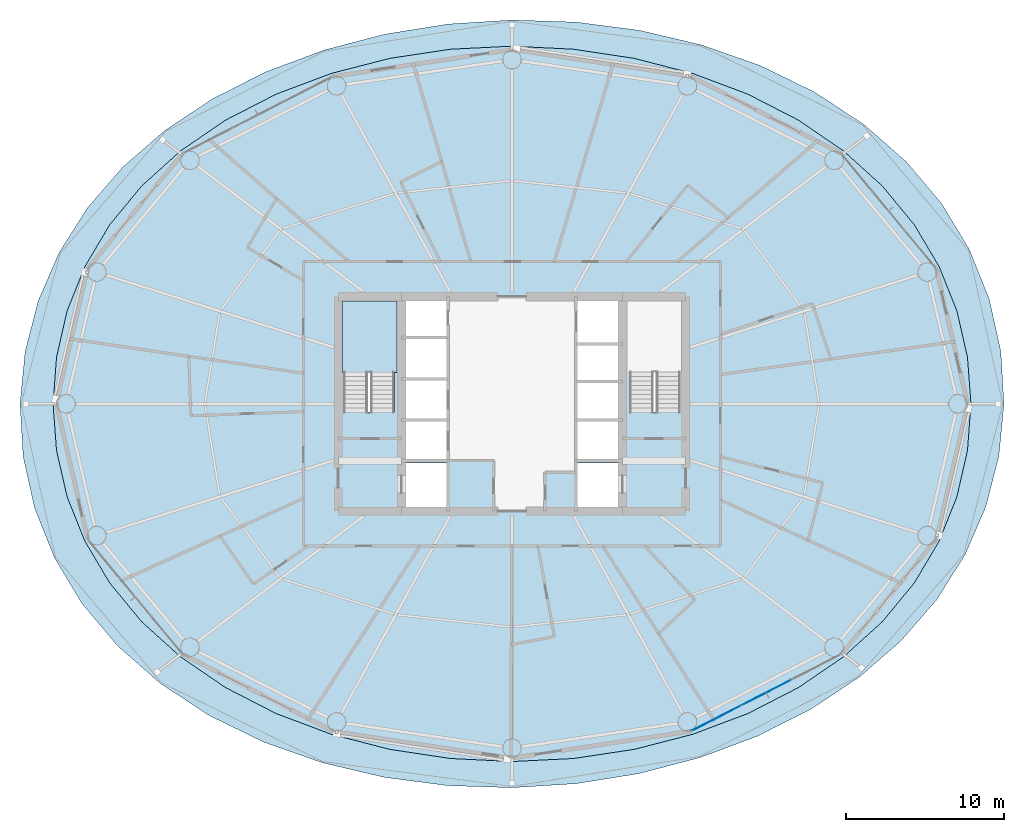
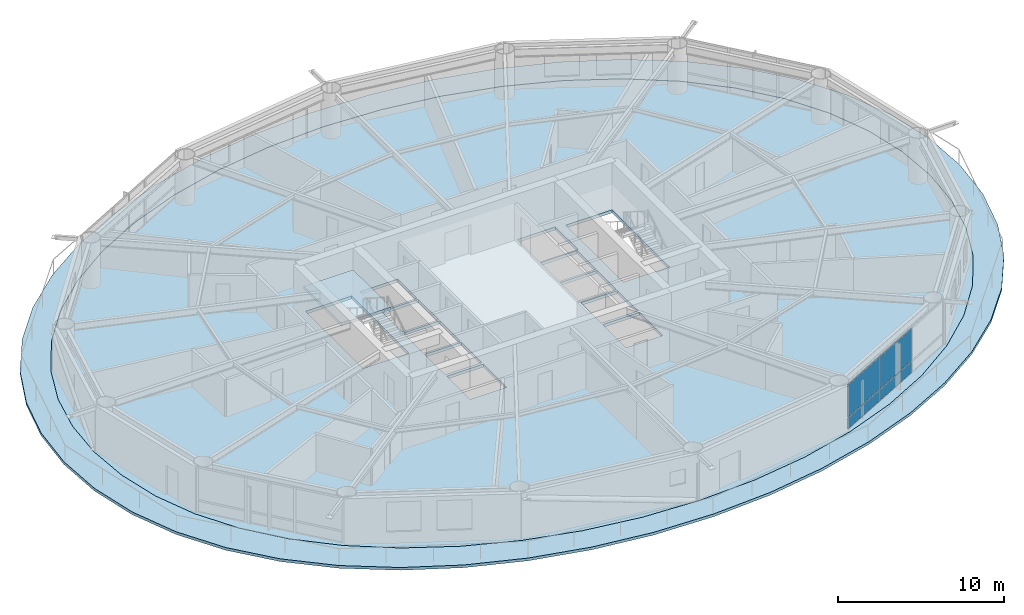
# One storey, part 15 of 24: 4 plates, 3 slabs, 2 elements without a shape of their own.
"""IFC4 building model written with IfcOpenShell, lengths in metres."""

from ifc_helpers import new_model, si_unit, direction, frame, origin, origin_2d, place, context, subcontext, project, spatial, polyline, rectangle, outline, extrude, material, layer, layer_set, type_object, element, aggregate, save


model = new_model("IFC4")

# Units and contexts
model_context = context("Model", 3, precision=1e-05, world=origin(), true_north=direction((0.0, 1.0)))
body_context = subcontext(model_context, "Body", "Model", "MODEL_VIEW")
ifc_project = project(units=[si_unit("LENGTHUNIT", "METRE"), si_unit("AREAUNIT", "SQUARE_METRE"), si_unit("VOLUMEUNIT", "CUBIC_METRE"), si_unit("PLANEANGLEUNIT", "RADIAN"), si_unit("MASSUNIT", "GRAM", prefix="KILO")], contexts=[model_context])

# Site, building, storey
site_placement = place(None, origin())
site = spatial("IfcSite", under=ifc_project, at=site_placement, CompositionType="ELEMENT")
building_placement = place(site_placement, origin())
building = spatial("IfcBuilding", under=site, at=building_placement, Name="Sarneth Arch Tower", CompositionType="ELEMENT")
storey_placement = place(building_placement, frame((0.0, 0.0, 116.39990234375)))
storey = spatial("IfcBuildingStorey", under=building, at=storey_placement, Name="L29", CompositionType="ELEMENT", Elevation=116.39990234375)

# Curtain wall, plates
ifc_material_1 = material(Name="Anodised aluminium Type AA25 and solar-control low-e laminated IGU", Category="aluminium")
ifc_layer_1 = layer(ifc_material_1, 0.159912109375)
ifc_layer_set_1 = layer_set([ifc_layer_1], Name="Anodised aluminium Type AA25 and solar-control low-e laminated IGU")
curtain_wall_type = type_object("IfcCurtainWallType", Name="CW-HOTEL-MID", PredefinedType="NOTDEFINED", material=ifc_layer_set_1)
curtain_wall_placement = place(storey_placement, origin())
curtain_wall = element("IfcCurtainWall", 1, at=curtain_wall_placement, inside=storey, type_object=curtain_wall_type, Name="L29 Unitised curtain wall facet 14", PredefinedType="NOTDEFINED")
ifc_material_2 = material(Name="Solar-control low-e laminated IGU", Category="glass")
ifc_layer_2 = layer(ifc_material_2, 0.028076171875)
ifc_layer_set_2 = layer_set([ifc_layer_2], Name="Solar-control low-e laminated IGU")
plate_type = type_object("IfcPlateType", Name="CW-PANEL", PredefinedType="CURTAIN_PANEL", material=ifc_layer_set_2)
plate_1_placement = place(storey_placement, frame((60.946044921875, 22.094482421875, 0.06005859375), z_axis=(0.0, 0.0, 1.0), x_axis=(0.889963703649, 0.456031365356, 0.0)))
plate_1 = element("IfcPlate", 2, at=plate_1_placement, type_object=plate_type, Name="Curtain wall glazed vision pane CW-L29-F14/P00-00", PredefinedType="CURTAIN_PANEL", context=body_context, shape_type="SweptSolid", body=[
    extrude(rectangle(XDim=3.464111328125, YDim=0.028076171875, at=origin_2d()), origin(), (0.0, 0.0, 1.0), 0.81005859375),
])
plate_2_placement = place(storey_placement, frame((60.946044921875, 22.094482421875, 0.93017578125), z_axis=(0.0, 0.0, 1.0), x_axis=(0.889963703649, 0.456031365356, 0.0)))
plate_2 = element("IfcPlate", 3, at=plate_2_placement, type_object=plate_type, Name="Curtain wall glazed vision pane CW-L29-F14/P00-01", PredefinedType="CURTAIN_PANEL", context=body_context, shape_type="SweptSolid", body=[
    extrude(rectangle(XDim=3.464111328125, YDim=0.028076171875, at=origin_2d()), origin(), (0.0, 0.0, 1.0), 2.389892578125),
])
plate_3_placement = place(storey_placement, frame((64.095703125, 23.70849609375, 0.06005859375), z_axis=(0.0, 0.0, 1.0), x_axis=(0.889963703649, 0.456031365356, 0.0)))
plate_3 = element("IfcPlate", 4, at=plate_3_placement, type_object=plate_type, Name="Curtain wall glazed vision pane CW-L29-F14/P01-00", PredefinedType="CURTAIN_PANEL", context=body_context, shape_type="SweptSolid", body=[
    extrude(rectangle(XDim=3.493896484375, YDim=0.028076171875, at=origin_2d()), origin(), (0.0, 0.0, 1.0), 0.81005859375),
])
plate_4_placement = place(storey_placement, frame((64.095703125, 23.70849609375, 0.93017578125), z_axis=(0.0, 0.0, 1.0), x_axis=(0.889963703649, 0.456031365356, 0.0)))
plate_4 = element("IfcPlate", 5, at=plate_4_placement, type_object=plate_type, Name="Curtain wall glazed vision pane CW-L29-F14/P01-01", PredefinedType="CURTAIN_PANEL", context=body_context, shape_type="SweptSolid", body=[
    extrude(rectangle(XDim=3.493896484375, YDim=0.028076171875, at=origin_2d()), origin(), (0.0, 0.0, 1.0), 2.389892578125),
])
aggregate(curtain_wall, [plate_1, plate_2, plate_3, plate_4])

# Slab
ifc_material_3 = material(Name="Concrete C50/60", Category="concrete")
ifc_layer_3 = layer(ifc_material_3, 0.199951171875)
ifc_layer_set_3 = layer_set([ifc_layer_3], Name="Concrete C50/60")
slab_type_1 = type_object("IfcSlabType", Name="SLAB-BALC-200", PredefinedType="FLOOR", material=ifc_layer_set_3)
slab_1_placement = place(storey_placement, frame((0.0, 0.0, -0.199951171875)))
element("IfcSlab", 6, at=slab_1_placement, inside=storey, type_object=slab_type_1, Name="L29 Helical balcony band slab", PredefinedType="FLOOR", context=body_context, shape_type="SweptSolid", body=[
    extrude(outline(polyline([(79.1552734375, 42.0), (78.956298828125, 45.333984375), (78.23046875, 48.606689453125), (76.981201171875, 51.73974609375), (75.22021484375, 54.66748046875), (72.97021484375, 57.33740234375), (70.266845703125, 59.707275390625), (67.16015625, 61.745361328125), (63.71435546875, 63.42578125), (60.00146484375, 64.731201171875), (56.09716796875, 65.649658203125), (52.07421875, 66.175048828125), (48.0, 66.3076171875), (43.938232421875, 66.05078125), (39.950927734375, 65.412841796875), (36.100830078125, 64.4052734375), (32.453125, 63.04248046875), (29.073486328125, 61.341552734375), (26.023681640625, 59.3212890625), (23.355712890625, 57.00341796875), (21.110595703125, 54.411376953125), (19.317138671875, 51.5732421875), (17.99658203125, 48.5244140625), (17.166748046875, 45.31201171875), (16.8447265625, 42.0), (17.043701171875, 38.666015625), (17.76953125, 35.393310546875), (19.018798828125, 32.26025390625), (20.77978515625, 29.33251953125), (23.02978515625, 26.66259765625), (25.733154296875, 24.292724609375), (28.83984375, 22.254638671875), (32.28564453125, 20.57421875), (35.99853515625, 19.268798828125), (39.90283203125, 18.350341796875), (43.92578125, 17.824951171875), (48.0, 17.6923828125), (52.061767578125, 17.94921875), (56.049072265625, 18.587158203125), (59.899169921875, 19.5947265625), (63.546875, 20.95751953125), (66.926513671875, 22.658447265625), (69.976318359375, 24.6787109375), (72.644287109375, 26.99658203125), (74.889404296875, 29.588623046875), (76.682861328125, 32.4267578125), (78.00341796875, 35.4755859375), (78.833251953125, 38.68798828125), (79.1552734375, 42.0)]), holes=[polyline([(77.062744140625, 42.0), (76.84228515625, 44.956298828125), (76.17724609375, 47.8623046875), (75.060546875, 50.667724609375), (73.486328125, 53.324951171875), (71.458251953125, 55.788330078125), (68.994384765625, 58.015869140625), (66.132080078125, 59.969482421875), (62.923828125, 61.615478515625), (59.435302734375, 62.92578125), (55.73779296875, 63.878173828125), (51.902587890625, 64.456298828125), (48.0, 64.64990234375), (44.097412109375, 64.456298828125), (40.26220703125, 63.878173828125), (36.564697265625, 62.92578125), (33.076171875, 61.615478515625), (29.867919921875, 59.969482421875), (27.005615234375, 58.015869140625), (24.541748046875, 55.788330078125), (22.513671875, 53.324951171875), (20.939453125, 50.667724609375), (19.82275390625, 47.8623046875), (19.15771484375, 44.956298828125), (18.937255859375, 42.0), (19.15771484375, 39.043701171875), (19.82275390625, 36.1376953125), (20.939453125, 33.332275390625), (22.513671875, 30.675048828125), (24.541748046875, 28.211669921875), (27.005615234375, 25.984130859375), (29.867919921875, 24.030517578125), (33.076171875, 22.384521484375), (36.564697265625, 21.07421875), (40.26220703125, 20.121826171875), (44.097412109375, 19.543701171875), (48.0, 19.35009765625), (51.902587890625, 19.543701171875), (55.73779296875, 20.121826171875), (59.435302734375, 21.07421875), (62.923828125, 22.384521484375), (66.132080078125, 24.030517578125), (68.994384765625, 25.984130859375), (71.458251953125, 28.211669921875), (73.486328125, 30.675048828125), (75.060546875, 33.332275390625), (76.17724609375, 36.1376953125), (76.84228515625, 39.043701171875), (77.062744140625, 42.0)])]), origin(), (0.0, 0.0, 1.0), 0.199951171875),
])

# Stair, slab
ifc_material_4 = material(Name="Concrete C50/60", Category="concrete")
stair_type = type_object("IfcStairType", Name="STAIR-CORE-RC", PredefinedType="HALF_TURN_STAIR", material=ifc_material_4)
stair_placement = place(storey_placement, origin())
stair = element("IfcStair", 7, at=stair_placement, inside=storey, type_object=stair_type, Name="L29 Core Exit Stair 1", PredefinedType="HALF_TURN_STAIR")
ifc_material_5 = material(Name="Concrete C50/60", Category="concrete")
ifc_layer_4 = layer(ifc_material_5, 0.199951171875)
ifc_layer_set_4 = layer_set([ifc_layer_4], Name="Concrete C50/60")
slab_type_2 = type_object("IfcSlabType", Name="SLAB-LANDING-200", PredefinedType="LANDING", material=ifc_layer_set_4)
slab_2_placement = place(storey_placement, frame((0.0, 0.0, 1.60009765625)))
slab_2 = element("IfcSlab", 8, at=slab_2_placement, type_object=slab_type_2, Name="ST-1 landing 1", PredefinedType="LANDING", context=body_context, shape_type="SweptSolid", body=[
    extrude(outline(polyline([(37.27490234375, 43.985107421875), (40.72509765625, 43.985107421875), (40.72509765625, 48.52490234375), (37.27490234375, 48.52490234375), (37.27490234375, 43.985107421875)])), origin(), (0.0, 0.0, 1.0), 0.199951171875),
])
aggregate(stair, [slab_2])

# Slab
ifc_material_6 = material(Name="Concrete C50/60", Category="concrete")
ifc_layer_5 = layer(ifc_material_6, 0.219970703125)
ifc_layer_set_5 = layer_set([ifc_layer_5], Name="Concrete C50/60")
slab_type_3 = type_object("IfcSlabType", Name="SLAB-TOWER-220", PredefinedType="FLOOR", material=ifc_layer_set_5)
slab_3_placement = place(storey_placement, frame((0.0, 0.0, -0.219970703125)))
element("IfcSlab", 9, at=slab_3_placement, inside=storey, type_object=slab_type_3, Name="L29 Elliptical floor slab", PredefinedType="FLOOR", context=body_context, shape_type="SweptSolid", body=[
    extrude(outline(polyline([(77.062744140625, 42.0), (76.84228515625, 44.956298828125), (76.17724609375, 47.8623046875), (75.060546875, 50.667724609375), (73.486328125, 53.324951171875), (71.458251953125, 55.788330078125), (68.994384765625, 58.015869140625), (66.132080078125, 59.969482421875), (62.923828125, 61.615478515625), (59.435302734375, 62.92578125), (55.73779296875, 63.878173828125), (51.902587890625, 64.456298828125), (48.0, 64.64990234375), (44.097412109375, 64.456298828125), (40.26220703125, 63.878173828125), (36.564697265625, 62.92578125), (33.076171875, 61.615478515625), (29.867919921875, 59.969482421875), (27.005615234375, 58.015869140625), (24.541748046875, 55.788330078125), (22.513671875, 53.324951171875), (20.939453125, 50.667724609375), (19.82275390625, 47.8623046875), (19.15771484375, 44.956298828125), (18.937255859375, 42.0), (19.15771484375, 39.043701171875), (19.82275390625, 36.1376953125), (20.939453125, 33.332275390625), (22.513671875, 30.675048828125), (24.541748046875, 28.211669921875), (27.005615234375, 25.984130859375), (29.867919921875, 24.030517578125), (33.076171875, 22.384521484375), (36.564697265625, 21.07421875), (40.26220703125, 20.121826171875), (44.097412109375, 19.543701171875), (48.0, 19.35009765625), (51.902587890625, 19.543701171875), (55.73779296875, 20.121826171875), (59.435302734375, 21.07421875), (62.923828125, 22.384521484375), (66.132080078125, 24.030517578125), (68.994384765625, 25.984130859375), (71.458251953125, 28.211669921875), (73.486328125, 30.675048828125), (75.060546875, 33.332275390625), (76.17724609375, 36.1376953125), (76.84228515625, 39.043701171875), (77.062744140625, 42.0)]), holes=[polyline([(37.35009765625, 41.489990234375), (40.550048828125, 41.489990234375), (40.550048828125, 48.39990234375), (37.35009765625, 48.39990234375), (37.35009765625, 41.489990234375)]), polyline([(55.449951171875, 41.489990234375), (58.64990234375, 41.489990234375), (58.64990234375, 48.39990234375), (55.449951171875, 48.39990234375), (55.449951171875, 41.489990234375)]), polyline([(41.199951171875, 46.25), (43.85009765625, 46.25), (43.85009765625, 48.550048828125), (41.199951171875, 48.550048828125), (41.199951171875, 46.25)]), polyline([(41.300048828125, 35.449951171875), (43.85009765625, 35.449951171875), (43.85009765625, 38.25), (41.300048828125, 38.25), (41.300048828125, 35.449951171875)]), polyline([(52.14990234375, 35.449951171875), (54.699951171875, 35.449951171875), (54.699951171875, 38.25), (52.14990234375, 38.25), (52.14990234375, 35.449951171875)]), polyline([(52.14990234375, 45.85009765625), (54.800048828125, 45.85009765625), (54.800048828125, 48.550048828125), (52.14990234375, 48.550048828125), (52.14990234375, 45.85009765625)]), polyline([(41.300048828125, 38.449951171875), (43.85009765625, 38.449951171875), (43.85009765625, 40.89990234375), (41.300048828125, 40.89990234375), (41.300048828125, 38.449951171875)]), polyline([(41.300048828125, 41.050048828125), (43.85009765625, 41.050048828125), (43.85009765625, 43.5), (41.300048828125, 43.5), (41.300048828125, 41.050048828125)]), polyline([(41.300048828125, 43.64990234375), (43.85009765625, 43.64990234375), (43.85009765625, 46.10009765625), (41.300048828125, 46.10009765625), (41.300048828125, 43.64990234375)]), polyline([(52.14990234375, 38.449951171875), (54.699951171875, 38.449951171875), (54.699951171875, 40.89990234375), (52.14990234375, 40.89990234375), (52.14990234375, 38.449951171875)]), polyline([(52.14990234375, 41.050048828125), (54.699951171875, 41.050048828125), (54.699951171875, 43.35009765625), (52.14990234375, 43.35009765625), (52.14990234375, 41.050048828125)]), polyline([(52.14990234375, 43.5), (54.699951171875, 43.5), (54.699951171875, 45.75), (52.14990234375, 45.75), (52.14990234375, 43.5)])]), origin(), (0.0, 0.0, 1.0), 0.219970703125),
])

save(model, "model.ifc")
